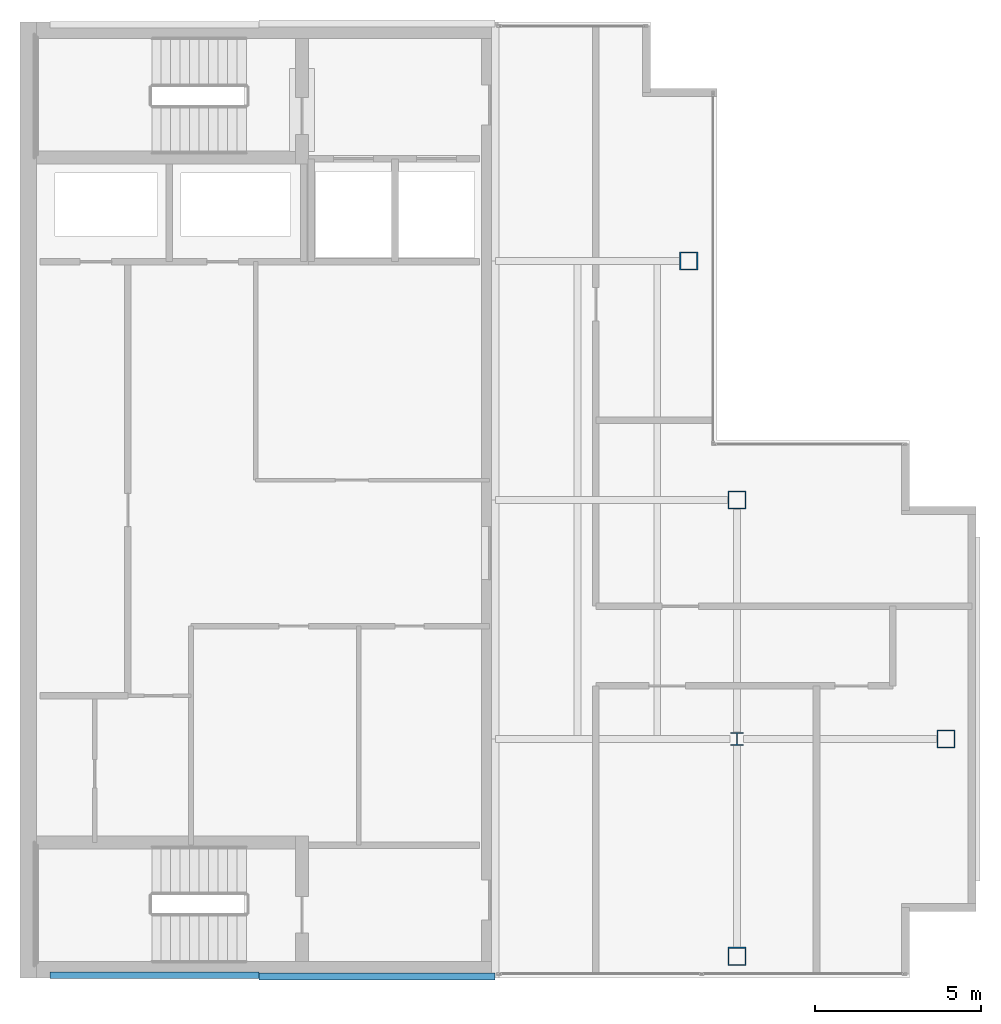
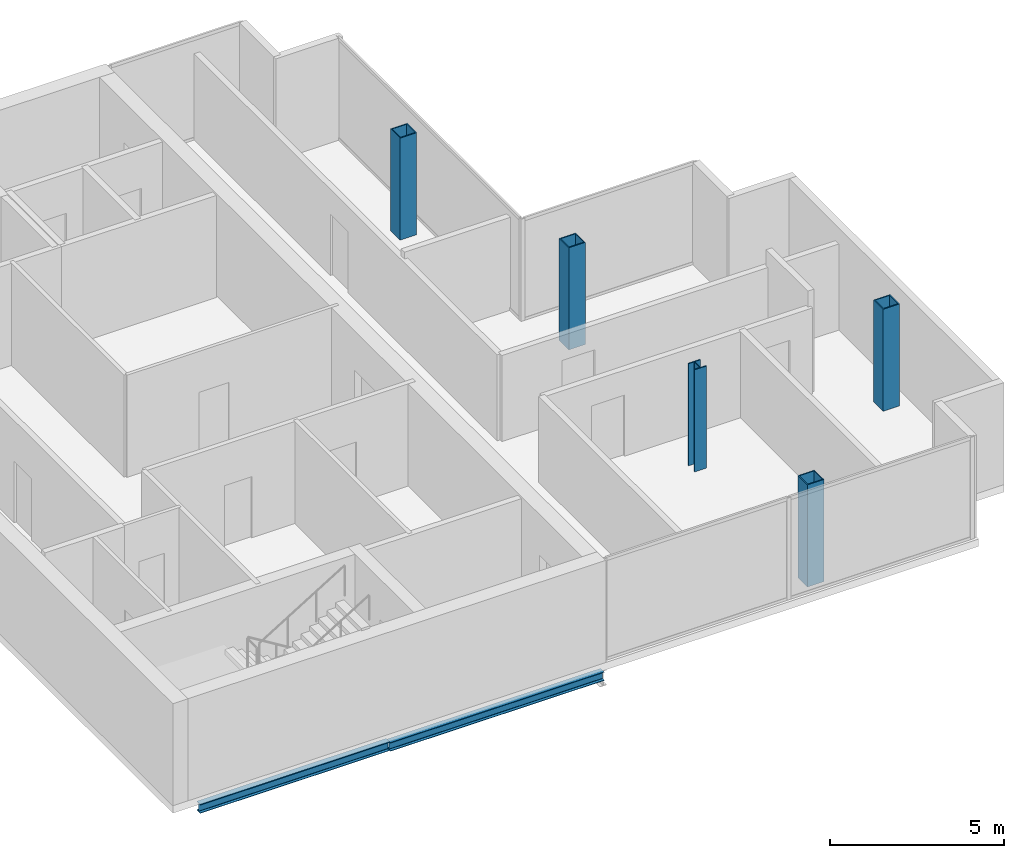
# One storey, part 1 of 15: 5 columns, 2 beams.
"""IFC4 building model written with IfcOpenShell, lengths in metres."""

from ifc_helpers import new_model, si_unit, direction, frame, origin, origin_2d, place, context, subcontext, project, spatial, hollow_rectangle, i_section, extrude, material, material_profile, profile_set, type_object, element, save


model = new_model("IFC4")

# Units and contexts
model_context = context("Model", 3, precision=1e-05, world=origin(), true_north=direction((0.0, 1.0)))
body_context = subcontext(model_context, "Body", "Model", "MODEL_VIEW")
ifc_project = project(units=[si_unit("LENGTHUNIT", "METRE"), si_unit("AREAUNIT", "SQUARE_METRE"), si_unit("VOLUMEUNIT", "CUBIC_METRE"), si_unit("PLANEANGLEUNIT", "RADIAN"), si_unit("MASSUNIT", "GRAM", prefix="KILO")], contexts=[model_context])

# Site, building, storey
site_placement = place(None, origin())
site = spatial("IfcSite", under=ifc_project, at=site_placement, CompositionType="ELEMENT")
building_placement = place(site_placement, origin())
building = spatial("IfcBuilding", under=site, at=building_placement, Name="Cobrela Telecom Tower", CompositionType="ELEMENT")
storey_placement = place(building_placement, frame((0.0, 0.0, 297.5)))
storey = spatial("IfcBuildingStorey", under=building, at=storey_placement, Name="L78", CompositionType="ELEMENT", Elevation=297.5)

# Columns
ifc_material_1 = material(Name="Steel ASTM A992 Grade 50", Category="steel")
ifc_material_profile_1 = material_profile(ifc_material_1, i_section(OverallWidth=0.39892578125, OverallDepth=0.39404296875, WebThickness=0.022705078125, FlangeThickness=0.03662109375, FilletRadius=0.01806640625, at=origin_2d()), Name="W14X193")
ifc_profile_set_1 = profile_set([ifc_material_profile_1], Name="Steel ASTM A992 Grade 50")
column_type_1 = type_object("IfcColumnType", Name="COL-INT-06", PredefinedType="COLUMN", material=ifc_profile_set_1)
column_placement = place(storey_placement, frame((21.60009765625, 14.39990234375, 0.0), z_axis=(0.0, 0.0, 1.0), x_axis=(1.0, 0.0, 0.0)))
element("IfcColumn", 1, at=column_placement, inside=storey, type_object=column_type_1, Name="L78 Interior Column 03", PredefinedType="COLUMN", context=body_context, shape_type="SweptSolid", body=[
    extrude(i_section(OverallWidth=0.39892578125, OverallDepth=0.39404296875, WebThickness=0.022705078125, FlangeThickness=0.03662109375, FilletRadius=0.01806640625, at=origin_2d()), origin(), (0.0, 0.0, 1.0), 3.590087890625),
])
ifc_material_2 = material(Name="Steel ASTM A572 Grade 50", Category="steel")
ifc_material_profile_2 = material_profile(ifc_material_2, hollow_rectangle(XDim=0.550048828125, YDim=0.550048828125, WallThickness=0.034912109375, at=origin_2d()), Name="BOX 550x550x35")
ifc_profile_set_2 = profile_set([ifc_material_profile_2], Name="Steel ASTM A572 Grade 50")
column_type_2 = type_object("IfcColumnType", Name="COL-MEGA-10", PredefinedType="COLUMN", material=ifc_profile_set_2)
for number, where, z_axis, x_axis, name in (
    (2, (20.14990234375, 28.800048828125, 0.0), (0.0, 0.0, 1.0), (1.0, 0.0, 0.0), "L78 Perimeter Mega-Column 01"),
    (3, (21.60009765625, 7.85009765625, 0.0), (0.0, 0.0, 1.0), (1.0, 0.0, 0.0), "L78 Perimeter Mega-Column 02"),
    (4, (21.60009765625, 21.60009765625, 0.0), (0.0, 0.0, 1.0), (1.0, 0.0, 0.0), "L78 Perimeter Mega-Column 04"),
    (5, (27.89990234375, 14.39990234375, 0.0), (0.0, 0.0, 1.0), (1.0, 0.0, 0.0), "L78 Perimeter Mega-Column 05"),
):
    element("IfcColumn", number, at=place(storey_placement, frame(where, z_axis=z_axis, x_axis=x_axis)), inside=storey, type_object=column_type_2, Name=name, PredefinedType="COLUMN", context=body_context, shape_type="SweptSolid", body=[
        extrude(hollow_rectangle(XDim=0.550048828125, YDim=0.550048828125, WallThickness=0.034912109375, at=origin_2d()), origin(), (0.0, 0.0, 1.0), 3.590087890625),
    ])

# Beams
ifc_material_profile_3 = material_profile(ifc_material_1, i_section(OverallWidth=0.205078125, OverallDepth=0.31005859375, WebThickness=0.009521484375, FlangeThickness=0.016357421875, FilletRadius=0.010986328125, at=origin_2d()), Name="W12X50")
ifc_profile_set_3 = profile_set([ifc_material_profile_3], Name="Steel ASTM A992 Grade 50")
beam_type = type_object("IfcBeamType", Name="BM-SPAND-07", PredefinedType="SPANDREL", material=ifc_profile_set_3)
beam_1_placement = place(storey_placement, frame((0.905029296875, 7.280029296875, -0.4150390625), z_axis=(1.0, 0.0, 0.0), x_axis=(0.0, 1.0, 0.0)))
element("IfcBeam", 6, at=beam_1_placement, inside=storey, type_object=beam_type, Name="L78 Perimeter Spandrel X01", PredefinedType="SPANDREL", context=body_context, shape_type="SweptSolid", body=[
    extrude(i_section(OverallWidth=0.205078125, OverallDepth=0.31005859375, WebThickness=0.009521484375, FlangeThickness=0.016357421875, FilletRadius=0.010986328125, at=origin_2d()), origin(), (0.0, 0.0, 1.0), 6.2900390625),
])
beam_2_placement = place(storey_placement, frame((7.205078125, 7.239990234375, -0.4150390625), z_axis=(1.0, 0.0, 0.0), x_axis=(0.0, 1.0, 0.0)))
element("IfcBeam", 7, at=beam_2_placement, inside=storey, type_object=beam_type, Name="L78 Perimeter Spandrel X02", PredefinedType="SPANDREL", context=body_context, shape_type="SweptSolid", body=[
    extrude(i_section(OverallWidth=0.205078125, OverallDepth=0.31005859375, WebThickness=0.009521484375, FlangeThickness=0.016357421875, FilletRadius=0.010986328125, at=origin_2d()), origin(), (0.0, 0.0, 1.0), 7.10986328125),
])

save(model, "model.ifc")
